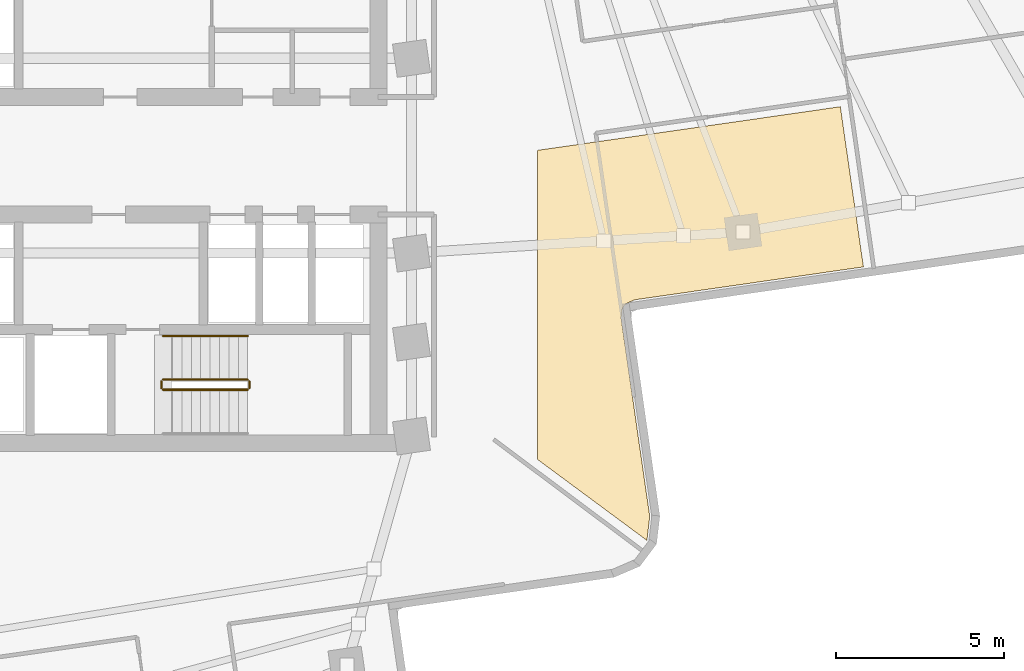
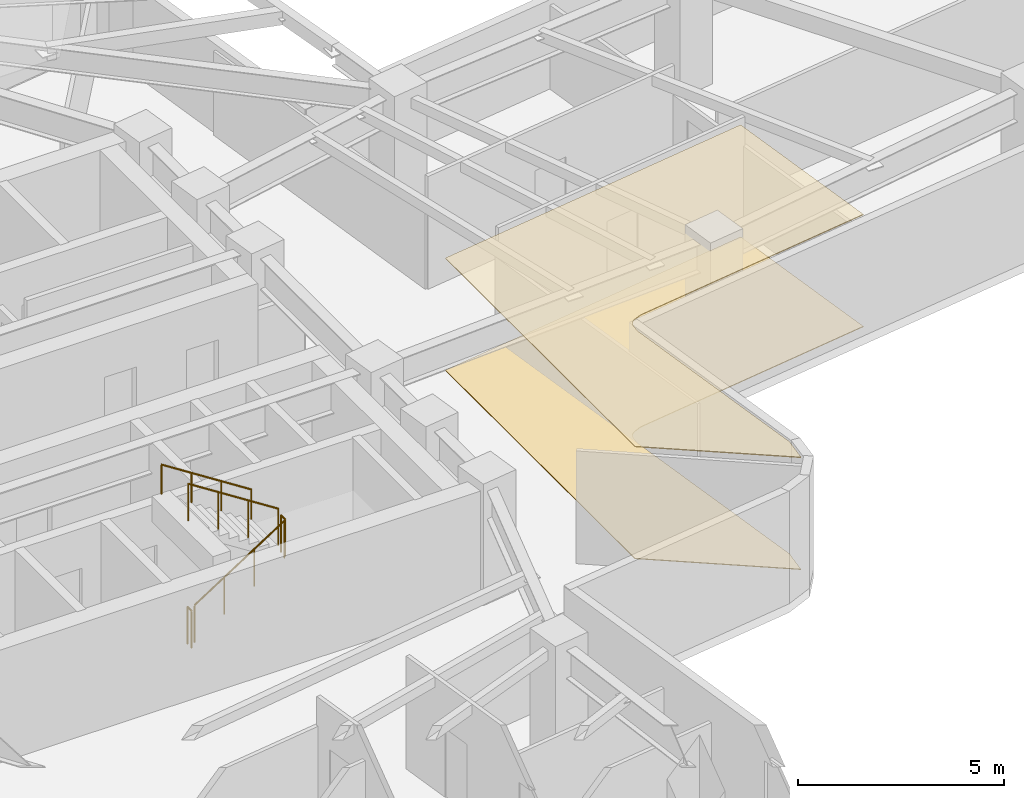
# One storey, part 11 of 13: 5 railings, 2 coverings.
"""IFC4 building model written with IfcOpenShell, lengths in metres."""

from ifc_helpers import new_model, si_unit, direction, frame, origin, origin_2d, place, context, subcontext, project, spatial, polyline, circle, outline, extrude, material, layer, layer_set, type_object, element, save


model = new_model("IFC4")

# Units and contexts
model_context = context("Model", 3, precision=1e-05, world=origin(), true_north=direction((0.0, 1.0)))
body_context = subcontext(model_context, "Body", "Model", "MODEL_VIEW")
ifc_project = project(units=[si_unit("LENGTHUNIT", "METRE"), si_unit("AREAUNIT", "SQUARE_METRE"), si_unit("VOLUMEUNIT", "CUBIC_METRE"), si_unit("PLANEANGLEUNIT", "RADIAN"), si_unit("MASSUNIT", "GRAM", prefix="KILO")], contexts=[model_context])

# Site, building, storey
site_placement = place(None, origin())
site = spatial("IfcSite", under=ifc_project, at=site_placement, CompositionType="ELEMENT")
building_placement = place(site_placement, origin())
building = spatial("IfcBuilding", under=site, at=building_placement, Name="Solmarez Civic Tower", CompositionType="ELEMENT")
storey_placement = place(building_placement, frame((0.0, 0.0, 89.280029296875)))
storey = spatial("IfcBuildingStorey", under=building, at=storey_placement, Name="L23", CompositionType="ELEMENT", Elevation=89.280029296875)

# Coverings
ifc_material_1 = material(Name="Perforated Mineral-Fibre Acoustic Ceiling")
ifc_layer_1 = layer(ifc_material_1, 0.02490234375)
ifc_layer_set_1 = layer_set([ifc_layer_1], Name="Perforated Mineral-Fibre Acoustic Ceiling")
covering_type_1 = type_object("IfcCoveringType", Name="COV-CEIL-ACOUSTIC", PredefinedType="CEILING", material=ifc_layer_set_1)
covering_1_placement = place(storey_placement, frame((0.0, 0.0, 3.31494140625)))
element("IfcCovering", 1, at=covering_1_placement, inside=storey, type_object=covering_type_1, Name="L23 Suspended Acoustic Ceiling 2", PredefinedType="CEILING", context=body_context, shape_type="SweptSolid", body=[
    extrude(outline(polyline([(12.60009765625, 0.158935546875), (12.60009765625, -9.044921875), (15.85791015625, -11.455078125), (15.862060546875, -11.449951171875), (15.946044921875, -10.74609375), (15.097900390625, -4.866943359375), (15.096923828125, -4.85302734375), (15.094970703125, -4.83203125), (15.094970703125, -4.81201171875), (15.097900390625, -4.787109375), (15.116943359375, -4.617919921875), (15.123046875, -4.591064453125), (15.125, -4.5830078125), (15.1259765625, -4.575927734375), (15.1279296875, -4.569091796875), (15.1298828125, -4.56201171875), (15.138916015625, -4.537109375), (15.15087890625, -4.512939453125), (15.155029296875, -4.506103515625), (15.1630859375, -4.492919921875), (15.173095703125, -4.47607421875), (15.18505859375, -4.4609375), (15.197998046875, -4.446044921875), (15.202880859375, -4.44091796875), (15.218017578125, -4.427978515625), (15.22412109375, -4.423095703125), (15.22998046875, -4.41796875), (15.2490234375, -4.404052734375), (15.2548828125, -4.39990234375), (15.27197265625, -4.389892578125), (15.2900390625, -4.381103515625), (15.297119140625, -4.3779296875), (15.455078125, -4.31005859375), (15.48193359375, -4.300048828125), (15.491943359375, -4.297119140625), (15.510986328125, -4.2919921875), (15.531005859375, -4.2880859375), (22.31103515625, -3.31201171875), (21.623046875, 1.458984375), (12.60009765625, 0.158935546875)])), origin(), (0.0, 0.0, 1.0), 0.025146484375),
])
ifc_material_2 = material(Name="Polished Tropical Stone Terrazzo Flooring", Category="masonry")
ifc_layer_2 = layer(ifc_material_2, 0.02001953125)
ifc_layer_set_2 = layer_set([ifc_layer_2], Name="Polished Tropical Stone Terrazzo Flooring")
covering_type_2 = type_object("IfcCoveringType", Name="COV-FLOOR-TERRAZZO", PredefinedType="FLOORING", material=ifc_layer_set_2)
covering_2_placement = place(storey_placement, origin())
element("IfcCovering", 2, at=covering_2_placement, inside=storey, type_object=covering_type_2, Name="L23 Terrazzo Floor Finish 2", PredefinedType="FLOORING", context=body_context, shape_type="SweptSolid", body=[
    extrude(outline(polyline([(12.60009765625, 0.158935546875), (12.60009765625, -9.044921875), (15.85791015625, -11.455078125), (15.862060546875, -11.449951171875), (15.946044921875, -10.74609375), (15.097900390625, -4.866943359375), (15.096923828125, -4.85302734375), (15.094970703125, -4.83203125), (15.094970703125, -4.81201171875), (15.097900390625, -4.787109375), (15.116943359375, -4.617919921875), (15.123046875, -4.591064453125), (15.125, -4.5830078125), (15.1259765625, -4.575927734375), (15.1279296875, -4.569091796875), (15.1298828125, -4.56201171875), (15.138916015625, -4.537109375), (15.15087890625, -4.512939453125), (15.155029296875, -4.506103515625), (15.1630859375, -4.492919921875), (15.173095703125, -4.47607421875), (15.18505859375, -4.4609375), (15.197998046875, -4.446044921875), (15.202880859375, -4.44091796875), (15.218017578125, -4.427978515625), (15.22412109375, -4.423095703125), (15.22998046875, -4.41796875), (15.2490234375, -4.404052734375), (15.2548828125, -4.39990234375), (15.27197265625, -4.389892578125), (15.2900390625, -4.381103515625), (15.297119140625, -4.3779296875), (15.455078125, -4.31005859375), (15.48193359375, -4.300048828125), (15.491943359375, -4.297119140625), (15.510986328125, -4.2919921875), (15.531005859375, -4.2880859375), (22.31103515625, -3.31201171875), (21.623046875, 1.458984375), (12.60009765625, 0.158935546875)])), origin(), (0.0, 0.0, 1.0), 0.02001953125),
])

# Railings
ifc_material_3 = material(Name="Painted Steel Stairwell Safety Guard", Category="steel")
railing_type_1 = type_object("IfcRailingType", Name="GUARD-STAIR-1120", PredefinedType="BALUSTRADE", material=ifc_material_3)
railing_1_placement = place(storey_placement, frame((1.449951171875, -6.969970703125, 0.179931640625)))
element("IfcRailing", 3, at=railing_1_placement, inside=storey, type_object=railing_type_1, Name="L23 ST-2 stair guard 1", PredefinedType="BALUSTRADE", context=body_context, shape_type="SweptSolid", body=[
    extrude(circle(Radius=0.02392578125, at=origin_2d()), frame((0.0, 0.0, 1.09619140625), z_axis=(0.841162588446, 0.0, 0.540782303519), x_axis=(0.0, 1.0, 0.0)), (0.0, 0.0, 1.0), 2.995849609375),
    extrude(circle(Radius=0.02099609375, at=origin_2d()), origin(), (0.0, 0.0, 1.0), 1.072021484375),
    extrude(circle(Radius=0.02099609375, at=origin_2d()), frame((0.840087890625, 0.0, 0.5400390625)), (0.0, 0.0, 1.0), 1.072021484375),
    extrude(circle(Radius=0.02099609375, at=origin_2d()), frame((1.679931640625, 0.0, 1.080078125)), (0.0, 0.0, 1.0), 1.072021484375),
    extrude(circle(Radius=0.02099609375, at=origin_2d()), frame((2.52001953125, 0.0, 1.6201171875)), (0.0, 0.0, 1.0), 1.072021484375),
])
railing_2_placement = place(storey_placement, frame((4.02001953125, -6.919921875, 1.800048828125)))
element("IfcRailing", 4, at=railing_2_placement, inside=storey, type_object=railing_type_1, Name="L23 ST-2 stair guard 2", PredefinedType="BALUSTRADE", context=body_context, shape_type="SweptSolid", body=[
    extrude(circle(Radius=0.02392578125, at=origin_2d()), frame((0.0, 0.0, 1.09619140625), z_axis=(0.0, 1.0, 0.0), x_axis=(-1.0, 0.0, 0.0)), (0.0, 0.0, 1.0), 0.199951171875),
    extrude(circle(Radius=0.02099609375, at=origin_2d()), origin(), (0.0, 0.0, 1.0), 1.072021484375),
    extrude(circle(Radius=0.02099609375, at=origin_2d()), frame((0.0, 0.199951171875, 0.0)), (0.0, 0.0, 1.0), 1.072021484375),
])
railing_3_placement = place(storey_placement, frame((3.969970703125, -6.669921875, 1.97998046875)))
element("IfcRailing", 5, at=railing_3_placement, inside=storey, type_object=railing_type_1, Name="L23 ST-2 stair guard 3", PredefinedType="BALUSTRADE", context=body_context, shape_type="SweptSolid", body=[
    extrude(circle(Radius=0.02392578125, at=origin_2d()), frame((0.0, 0.0, 1.09619140625), z_axis=(-0.841199657755, 0.0, 0.540724639528), x_axis=(0.0, -1.0, 0.0)), (0.0, 0.0, 1.0), 2.995849609375),
    extrude(circle(Radius=0.02099609375, at=origin_2d()), origin(), (0.0, 0.0, 1.0), 1.072021484375),
    extrude(circle(Radius=0.02099609375, at=origin_2d()), frame((-0.840087890625, 0.0, 0.5400390625)), (0.0, 0.0, 1.0), 1.072021484375),
    extrude(circle(Radius=0.02099609375, at=origin_2d()), frame((-1.679931640625, 0.0, 1.079833984375)), (0.0, 0.0, 1.0), 1.072021484375),
    extrude(circle(Radius=0.02099609375, at=origin_2d()), frame((-2.52001953125, 0.0, 1.619873046875)), (0.0, 0.0, 1.0), 1.072021484375),
])
railing_4_placement = place(storey_placement, frame((1.39990234375, -6.919921875, 0.0)))
element("IfcRailing", 6, at=railing_4_placement, inside=storey, type_object=railing_type_1, Name="L23 ST-2 stair guard 4", PredefinedType="BALUSTRADE", context=body_context, shape_type="SweptSolid", body=[
    extrude(circle(Radius=0.02392578125, at=origin_2d()), frame((0.0, 0.0, 1.09619140625), z_axis=(0.0, 1.0, 0.0), x_axis=(-1.0, 0.0, 0.0)), (0.0, 0.0, 1.0), 0.199951171875),
    extrude(circle(Radius=0.02099609375, at=origin_2d()), origin(), (0.0, 0.0, 1.0), 1.072021484375),
    extrude(circle(Radius=0.02099609375, at=origin_2d()), frame((0.0, 0.199951171875, 0.0)), (0.0, 0.0, 1.0), 1.072021484375),
])
ifc_material_4 = material(Name="Brushed Stainless Steel Tube Handrail", Category="steel")
railing_type_2 = type_object("IfcRailingType", Name="HANDRAIL-STAIR-900", PredefinedType="HANDRAIL", material=ifc_material_4)
railing_5_placement = place(storey_placement, frame((3.969970703125, -5.3701171875, 1.97998046875)))
element("IfcRailing", 7, at=railing_5_placement, inside=storey, type_object=railing_type_2, Name="L23 ST-2 stair handrail 2", PredefinedType="HANDRAIL", context=body_context, shape_type="SweptSolid", body=[
    extrude(circle(Radius=0.02392578125, at=origin_2d()), frame((0.0, 0.0, 0.8759765625), z_axis=(-0.841199657755, 0.0, 0.540724639528), x_axis=(0.0, -1.0, 0.0)), (0.0, 0.0, 1.0), 2.995849609375),
    extrude(circle(Radius=0.02099609375, at=origin_2d()), origin(), (0.0, 0.0, 1.0), 0.851806640625),
    extrude(circle(Radius=0.02099609375, at=origin_2d()), frame((-0.840087890625, 0.0, 0.5400390625)), (0.0, 0.0, 1.0), 0.851806640625),
    extrude(circle(Radius=0.02099609375, at=origin_2d()), frame((-1.679931640625, 0.0, 1.079833984375)), (0.0, 0.0, 1.0), 0.851806640625),
    extrude(circle(Radius=0.02099609375, at=origin_2d()), frame((-2.52001953125, 0.0, 1.619873046875)), (0.0, 0.0, 1.0), 0.851806640625),
])

save(model, "model.ifc")
